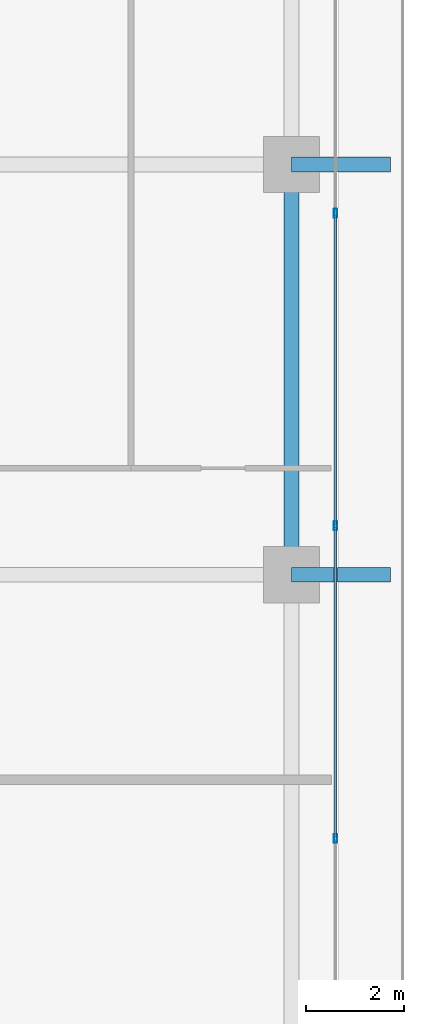
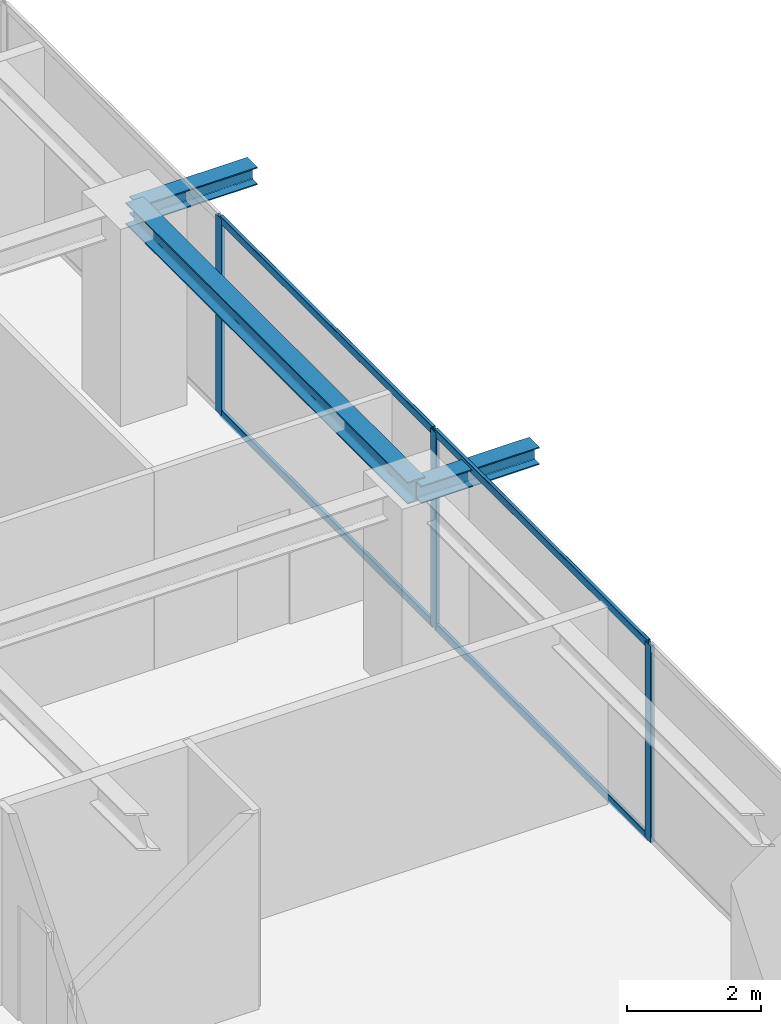
# One storey, part 15 of 35: 7 members, 3 beams, 1 element without a shape of its own.
"""IFC4 building model written with IfcOpenShell, lengths in metres."""

from ifc_helpers import new_model, si_unit, direction, frame, origin, origin_2d, place, context, subcontext, project, spatial, hollow_rectangle, i_section, extrude, source, transform, mapped, material, layer, layer_set, material_profile, profile_set, type_object, element, aggregate, save


model = new_model("IFC4")

# Units and contexts
model_context = context("Model", 3, precision=1e-05, world=origin(), true_north=direction((0.0, 1.0)))
body_context = subcontext(model_context, "Body", "Model", "MODEL_VIEW")
ifc_project = project(units=[si_unit("LENGTHUNIT", "METRE"), si_unit("AREAUNIT", "SQUARE_METRE"), si_unit("VOLUMEUNIT", "CUBIC_METRE"), si_unit("PLANEANGLEUNIT", "RADIAN"), si_unit("MASSUNIT", "GRAM", prefix="KILO")], contexts=[model_context])

# Site, building, storey
site_placement = place(None, origin())
site = spatial("IfcSite", under=ifc_project, at=site_placement, CompositionType="ELEMENT")
building_placement = place(site_placement, origin())
building = spatial("IfcBuilding", under=site, at=building_placement, Name="Serunith Strait Residences", CompositionType="ELEMENT")
storey_placement = place(building_placement, frame((0.0, 0.0, 214.300048828125)))
storey = spatial("IfcBuildingStorey", under=building, at=storey_placement, Name="L53", CompositionType="ELEMENT", Elevation=214.300048828125)

# Beams
ifc_material_1 = material(Name="Steel S355J2", Category="steel")
ifc_material_profile_1 = material_profile(ifc_material_1, i_section(OverallWidth=0.300048828125, OverallDepth=0.39990234375, WebThickness=0.013427734375, FlangeThickness=0.02392578125, FilletRadius=0.027099609375, at=origin_2d()), Name="HEB 400")
ifc_profile_set_1 = profile_set([ifc_material_profile_1], Name="Steel S355J2")
beam_type_1 = type_object("IfcBeamType", Name="BM-HEB400", PredefinedType="BEAM", material=ifc_profile_set_1)
shared_shape_1 = source(origin(), body_context, "Body", "SweptSolid", [
    extrude(i_section(OverallWidth=0.300048828125, OverallDepth=0.39990234375, WebThickness=0.013427734375, FlangeThickness=0.02392578125, FilletRadius=0.027099609375, at=origin_2d()), origin(), (0.0, 0.0, 1.0), 8.39990234375),
])
beam_placement = place(storey_placement, frame((56.5, 21.0, 3.386962890625), z_axis=(0.0, 1.0, 0.0), x_axis=(-1.0, 0.0, 0.0)))
element("IfcBeam", 1, at=beam_placement, inside=storey, type_object=beam_type_1, Name="L53 Perimeter Ring Beam 06", PredefinedType="BEAM", context=body_context, shape_type="MappedRepresentation", body=[
    mapped(shared_shape_1, transform((0.0, 0.0, 0.0), scale=1.0)),
])
ifc_material_profile_2 = material_profile(ifc_material_1, i_section(OverallWidth=0.300048828125, OverallDepth=0.320068359375, WebThickness=0.011474609375, FlangeThickness=0.0205078125, FilletRadius=0.027099609375, at=origin_2d()), Name="HEB 320")
ifc_profile_set_2 = profile_set([ifc_material_profile_2], Name="Steel S355J2")
beam_type_2 = type_object("IfcBeamType", Name="BM-HEB320", PredefinedType="BEAM", material=ifc_profile_set_2)
shared_shape_2 = source(origin(), body_context, "Body", "SweptSolid", [
    extrude(i_section(OverallWidth=0.300048828125, OverallDepth=0.320068359375, WebThickness=0.011474609375, FlangeThickness=0.0205078125, FilletRadius=0.027099609375, at=origin_2d()), origin(), (0.0, 0.0, 1.0), 2.030029296875),
])
for number, where, z_axis, x_axis, name in (
    (2, (56.5, 21.0, 3.39697265625), (1.0, 0.0, 0.0), (0.0, 1.0, 0.0), "L54 Cantilevered Balcony Rib TC-E2"),
    (3, (56.5, 29.39990234375, 3.39697265625), (1.0, 0.0, 0.0), (0.0, 1.0, 0.0), "L54 Cantilevered Balcony Rib TC-E3"),
):
    element("IfcBeam", number, at=place(storey_placement, frame(where, z_axis=z_axis, x_axis=x_axis)), inside=storey, type_object=beam_type_2, Name=name, PredefinedType="BEAM", context=body_context, shape_type="MappedRepresentation", body=[
        mapped(shared_shape_2, transform((0.0, 0.0, 0.0), scale=1.0)),
    ])

# Curtain wall, members
ifc_material_2 = material(Name="Pale-Champagne Anodised Aluminium", Category="aluminium")
ifc_layer = layer(ifc_material_2, 0.199951171875, Name="Pale-Champagne Anodised Aluminium")
ifc_layer_set = layer_set([ifc_layer], Name="Pale-Champagne Anodised Aluminium")
curtain_wall_type = type_object("IfcCurtainWallType", Name="CW-SYS4", PredefinedType="NOTDEFINED", material=ifc_layer_set)
curtain_wall_placement = place(storey_placement, origin())
curtain_wall = element("IfcCurtainWall", 4, at=curtain_wall_placement, inside=storey, type_object=curtain_wall_type, Name="L53 E Unitised Fritted Curtain Wall", PredefinedType="NOTDEFINED")
ifc_material_profile_3 = material_profile(ifc_material_2, hollow_rectangle(XDim=0.06494140625, YDim=0.179931640625, WallThickness=0.00341796875, InnerFilletRadius=0.00537109375, OuterFilletRadius=0.0087890625, at=origin_2d()), Name="ALU 180x65x3.5")
ifc_profile_set_3 = profile_set([ifc_material_profile_3], Name="Pale-Champagne Anodised Aluminium")
member_type_1 = type_object("IfcMemberType", Name="CW-SYS4-MULL", PredefinedType="MULLION", material=ifc_profile_set_3)
shared_shape_3 = source(origin(), body_context, "Body", "SweptSolid", [
    extrude(hollow_rectangle(XDim=0.06494140625, YDim=0.179931640625, WallThickness=0.00341796875, InnerFilletRadius=0.00537109375, OuterFilletRadius=0.0087890625, at=origin_2d()), origin(), (0.0, 0.0, 1.0), 3.574951171875),
])
member_1_placement = place(storey_placement, frame((57.39990234375, 15.60009765625, 0.0), z_axis=(0.0, 0.0, 1.0), x_axis=(-1.0, 0.0, 0.0)))
member_1 = element("IfcMember", 5, at=member_1_placement, type_object=member_type_1, Name="CW-4 mullion 2", PredefinedType="MULLION", context=body_context, shape_type="MappedRepresentation", body=[
    mapped(shared_shape_3, transform((0.0, 0.0, 0.0), scale=1.0)),
])
member_2_placement = place(storey_placement, frame((57.39990234375, 22.0, 0.0), z_axis=(0.0, 0.0, 1.0), x_axis=(-1.0, 0.0, 0.0)))
member_2 = element("IfcMember", 6, at=member_2_placement, type_object=member_type_1, Name="CW-4 mullion 3", PredefinedType="MULLION", context=body_context, shape_type="MappedRepresentation", body=[
    mapped(shared_shape_3, transform((0.0, 0.0, 0.0), scale=1.0)),
])
member_3_placement = place(storey_placement, frame((57.39990234375, 28.39990234375, 0.0), z_axis=(0.0, 0.0, 1.0), x_axis=(-1.0, 0.0, 0.0)))
member_3 = element("IfcMember", 7, at=member_3_placement, type_object=member_type_1, Name="CW-4 mullion 4", PredefinedType="MULLION", context=body_context, shape_type="MappedRepresentation", body=[
    mapped(shared_shape_3, transform((0.0, 0.0, 0.0), scale=1.0)),
])
ifc_material_profile_4 = material_profile(ifc_material_2, hollow_rectangle(XDim=0.06005859375, YDim=0.139892578125, WallThickness=0.00341796875, InnerFilletRadius=0.00537109375, OuterFilletRadius=0.0087890625, at=origin_2d()), Name="ALU 140x60x3.5")
ifc_profile_set_4 = profile_set([ifc_material_profile_4], Name="Pale-Champagne Anodised Aluminium")
member_type_2 = type_object("IfcMemberType", Name="CW-SYS4-TRAN", PredefinedType="USERDEFINED", material=ifc_profile_set_4)
shared_shape_4 = source(origin(), body_context, "Body", "SweptSolid", [
    extrude(hollow_rectangle(XDim=0.06005859375, YDim=0.139892578125, WallThickness=0.00341796875, InnerFilletRadius=0.00537109375, OuterFilletRadius=0.0087890625, at=origin_2d()), origin(), (0.0, 0.0, 1.0), 6.3349609375),
])
member_4_placement = place(storey_placement, frame((57.39990234375, 15.632568359375, 0.030029296875), z_axis=(0.0, 1.0, 0.0), x_axis=(-1.0, 0.0, 0.0)))
member_4 = element("IfcMember", 8, at=member_4_placement, type_object=member_type_2, Name="CW-4 transom 2.1", ObjectType="TRANSOM", PredefinedType="USERDEFINED", context=body_context, shape_type="MappedRepresentation", body=[
    mapped(shared_shape_4, transform((0.0, 0.0, 0.0), scale=1.0)),
])
member_5_placement = place(storey_placement, frame((57.39990234375, 15.632568359375, 3.544921875), z_axis=(0.0, 1.0, 0.0), x_axis=(-1.0, 0.0, 0.0)))
member_5 = element("IfcMember", 9, at=member_5_placement, type_object=member_type_2, Name="CW-4 transom 2.2", ObjectType="TRANSOM", PredefinedType="USERDEFINED", context=body_context, shape_type="MappedRepresentation", body=[
    mapped(shared_shape_4, transform((0.0, 0.0, 0.0), scale=1.0)),
])
member_6_placement = place(storey_placement, frame((57.39990234375, 22.032470703125, 0.030029296875), z_axis=(0.0, 1.0, 0.0), x_axis=(-1.0, 0.0, 0.0)))
member_6 = element("IfcMember", 10, at=member_6_placement, type_object=member_type_2, Name="CW-4 transom 3.1", ObjectType="TRANSOM", PredefinedType="USERDEFINED", context=body_context, shape_type="MappedRepresentation", body=[
    mapped(shared_shape_4, transform((0.0, 0.0, 0.0), scale=1.0)),
])
member_7_placement = place(storey_placement, frame((57.39990234375, 22.032470703125, 3.544921875), z_axis=(0.0, 1.0, 0.0), x_axis=(-1.0, 0.0, 0.0)))
member_7 = element("IfcMember", 11, at=member_7_placement, type_object=member_type_2, Name="CW-4 transom 3.2", ObjectType="TRANSOM", PredefinedType="USERDEFINED", context=body_context, shape_type="MappedRepresentation", body=[
    mapped(shared_shape_4, transform((0.0, 0.0, 0.0), scale=1.0)),
])
aggregate(curtain_wall, [member_1, member_2, member_3, member_4, member_5, member_6, member_7])

save(model, "model.ifc")
